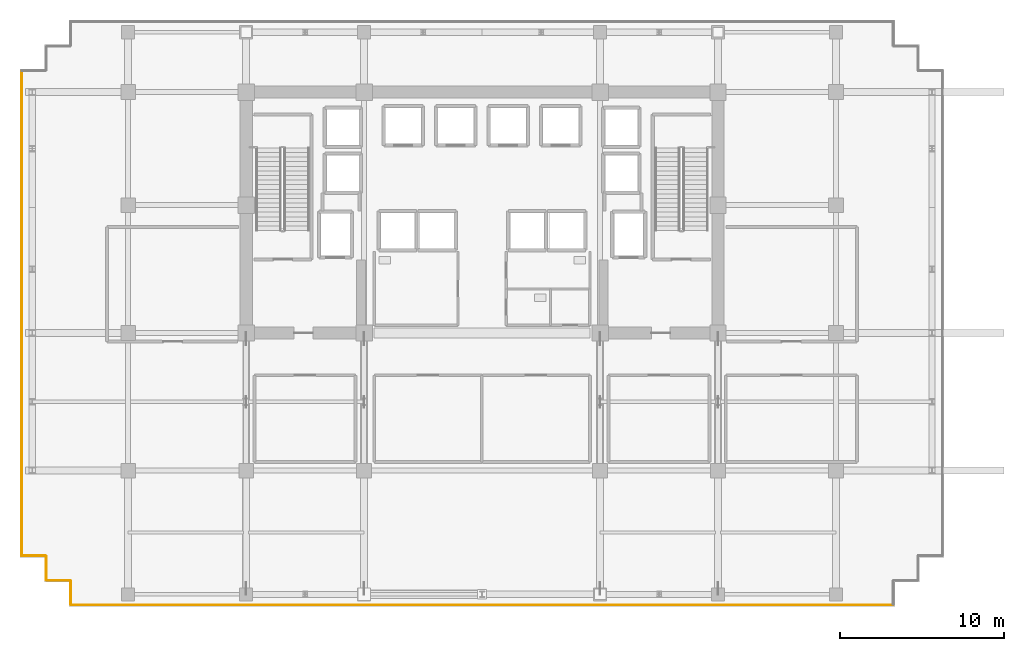
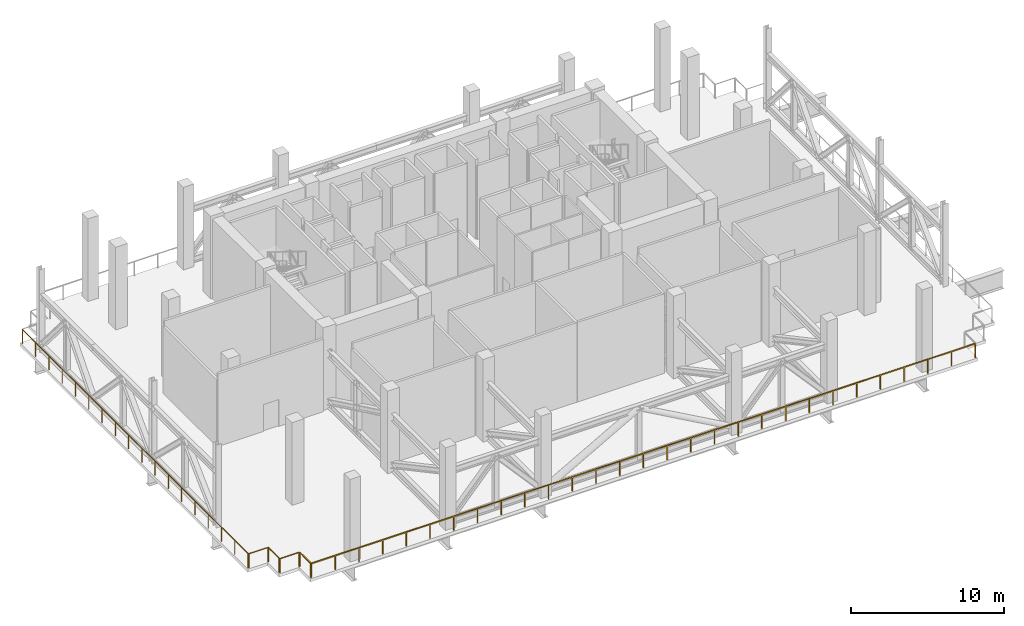
# One storey, part 11 of 15: 6 railings.
"""IFC4 building model written with IfcOpenShell, lengths in metres."""

from ifc_helpers import new_model, si_unit, direction, frame, origin, origin_2d, place, context, subcontext, project, spatial, rectangle, extrude, material, type_object, element, save


model = new_model("IFC4")

# Units and contexts
model_context = context("Model", 3, precision=1e-05, world=origin(), true_north=direction((0.0, 1.0)))
body_context = subcontext(model_context, "Body", "Model", "MODEL_VIEW")
ifc_project = project(units=[si_unit("LENGTHUNIT", "METRE"), si_unit("AREAUNIT", "SQUARE_METRE"), si_unit("VOLUMEUNIT", "CUBIC_METRE"), si_unit("PLANEANGLEUNIT", "RADIAN"), si_unit("MASSUNIT", "GRAM", prefix="KILO")], contexts=[model_context])

# Site, building, storey
site_placement = place(None, origin())
site = spatial("IfcSite", under=ifc_project, at=site_placement, CompositionType="ELEMENT")
building_placement = place(site_placement, origin())
building = spatial("IfcBuilding", under=site, at=building_placement, Name="Zarnakvel Exchange Tower", CompositionType="ELEMENT")
storey_placement = place(building_placement, frame((0.0, 0.0, 80.199951171875)))
storey = spatial("IfcBuildingStorey", under=building, at=storey_placement, Name="L22", CompositionType="ELEMENT", Elevation=80.199951171875)

# Railings
ifc_material = material(Name="Architectural Bronze Anodised Aluminium", Category="aluminium")
railing_type = type_object("IfcRailingType", Name="GR-01", PredefinedType="GUARDRAIL", material=ifc_material)
railing_1_placement = place(storey_placement, frame((-28.10009765625, -14.760009765625, 0.0)))
element("IfcRailing", 1, at=railing_1_placement, inside=storey, type_object=railing_type, Name="L22 Perimeter Guardrail GR-L22-PERIM-01 (GR-01)", PredefinedType="GUARDRAIL", context=body_context, shape_type="SweptSolid", body=[
    extrude(rectangle(XDim=0.048095703125, YDim=0.048095703125, at=origin_2d()), frame((0.0, 0.0, 1.1259765625), z_axis=(0.0, 1.0, 0.0), x_axis=(-1.0, 0.0, 0.0)), (0.0, 0.0, 1.0), 29.52001953125),
    extrude(rectangle(XDim=0.0419921875, YDim=0.0419921875, at=origin_2d()), origin(), (0.0, 0.0, 1.0), 1.101806640625),
    extrude(rectangle(XDim=0.0419921875, YDim=0.0419921875, at=origin_2d()), frame((0.0, 1.736572265625, 0.0)), (0.0, 0.0, 1.0), 1.101806640625),
    extrude(rectangle(XDim=0.0419921875, YDim=0.0419921875, at=origin_2d()), frame((0.0, 3.472900390625, 0.0)), (0.0, 0.0, 1.0), 1.101806640625),
    extrude(rectangle(XDim=0.0419921875, YDim=0.0419921875, at=origin_2d()), frame((0.0, 5.20947265625, 0.0)), (0.0, 0.0, 1.0), 1.101806640625),
    extrude(rectangle(XDim=0.0419921875, YDim=0.0419921875, at=origin_2d()), frame((0.0, 6.94580078125, 0.0)), (0.0, 0.0, 1.0), 1.101806640625),
    extrude(rectangle(XDim=0.0419921875, YDim=0.0419921875, at=origin_2d()), frame((0.0, 8.682373046875, 0.0)), (0.0, 0.0, 1.0), 1.101806640625),
    extrude(rectangle(XDim=0.0419921875, YDim=0.0419921875, at=origin_2d()), frame((0.0, 10.4189453125, 0.0)), (0.0, 0.0, 1.0), 1.101806640625),
    extrude(rectangle(XDim=0.0419921875, YDim=0.0419921875, at=origin_2d()), frame((0.0, 12.1552734375, 0.0)), (0.0, 0.0, 1.0), 1.101806640625),
    extrude(rectangle(XDim=0.0419921875, YDim=0.0419921875, at=origin_2d()), frame((0.0, 13.891845703125, 0.0)), (0.0, 0.0, 1.0), 1.101806640625),
    extrude(rectangle(XDim=0.0419921875, YDim=0.0419921875, at=origin_2d()), frame((0.0, 15.628173828125, 0.0)), (0.0, 0.0, 1.0), 1.101806640625),
    extrude(rectangle(XDim=0.0419921875, YDim=0.0419921875, at=origin_2d()), frame((0.0, 17.36474609375, 0.0)), (0.0, 0.0, 1.0), 1.101806640625),
    extrude(rectangle(XDim=0.0419921875, YDim=0.0419921875, at=origin_2d()), frame((0.0, 19.10107421875, 0.0)), (0.0, 0.0, 1.0), 1.101806640625),
    extrude(rectangle(XDim=0.0419921875, YDim=0.0419921875, at=origin_2d()), frame((0.0, 20.837646484375, 0.0)), (0.0, 0.0, 1.0), 1.101806640625),
    extrude(rectangle(XDim=0.0419921875, YDim=0.0419921875, at=origin_2d()), frame((0.0, 22.57421875, 0.0)), (0.0, 0.0, 1.0), 1.101806640625),
    extrude(rectangle(XDim=0.0419921875, YDim=0.0419921875, at=origin_2d()), frame((0.0, 24.310546875, 0.0)), (0.0, 0.0, 1.0), 1.101806640625),
    extrude(rectangle(XDim=0.0419921875, YDim=0.0419921875, at=origin_2d()), frame((0.0, 26.047119140625, 0.0)), (0.0, 0.0, 1.0), 1.101806640625),
    extrude(rectangle(XDim=0.0419921875, YDim=0.0419921875, at=origin_2d()), frame((0.0, 27.783447265625, 0.0)), (0.0, 0.0, 1.0), 1.101806640625),
    extrude(rectangle(XDim=0.0419921875, YDim=0.0419921875, at=origin_2d()), frame((0.0, 29.52001953125, 0.0)), (0.0, 0.0, 1.0), 1.101806640625),
])
railing_2_placement = place(storey_placement, frame((25.06005859375, -17.800048828125, 0.0)))
element("IfcRailing", 2, at=railing_2_placement, inside=storey, type_object=railing_type, Name="L22 Perimeter Guardrail GR-L22-PERIM-16 (GR-01)", PredefinedType="GUARDRAIL", context=body_context, shape_type="SweptSolid", body=[
    extrude(rectangle(XDim=0.048095703125, YDim=0.048095703125, at=origin_2d()), frame((0.0, 0.0, 1.1259765625), z_axis=(-1.0, 0.0, 0.0), x_axis=(0.0, -1.0, 0.0)), (0.0, 0.0, 1.0), 50.1201171875),
    extrude(rectangle(XDim=0.0419921875, YDim=0.0419921875, at=origin_2d()), origin(), (0.0, 0.0, 1.0), 1.101806640625),
    extrude(rectangle(XDim=0.0419921875, YDim=0.0419921875, at=origin_2d()), frame((-1.7900390625, 0.0, 0.0)), (0.0, 0.0, 1.0), 1.101806640625),
    extrude(rectangle(XDim=0.0419921875, YDim=0.0419921875, at=origin_2d()), frame((-3.580078125, 0.0, 0.0)), (0.0, 0.0, 1.0), 1.101806640625),
    extrude(rectangle(XDim=0.0419921875, YDim=0.0419921875, at=origin_2d()), frame((-5.3701171875, 0.0, 0.0)), (0.0, 0.0, 1.0), 1.101806640625),
    extrude(rectangle(XDim=0.0419921875, YDim=0.0419921875, at=origin_2d()), frame((-7.159912109375, 0.0, 0.0)), (0.0, 0.0, 1.0), 1.101806640625),
    extrude(rectangle(XDim=0.0419921875, YDim=0.0419921875, at=origin_2d()), frame((-8.949951171875, 0.0, 0.0)), (0.0, 0.0, 1.0), 1.101806640625),
    extrude(rectangle(XDim=0.0419921875, YDim=0.0419921875, at=origin_2d()), frame((-10.739990234375, 0.0, 0.0)), (0.0, 0.0, 1.0), 1.101806640625),
    extrude(rectangle(XDim=0.0419921875, YDim=0.0419921875, at=origin_2d()), frame((-12.530029296875, 0.0, 0.0)), (0.0, 0.0, 1.0), 1.101806640625),
    extrude(rectangle(XDim=0.0419921875, YDim=0.0419921875, at=origin_2d()), frame((-14.320068359375, 0.0, 0.0)), (0.0, 0.0, 1.0), 1.101806640625),
    extrude(rectangle(XDim=0.0419921875, YDim=0.0419921875, at=origin_2d()), frame((-16.110107421875, 0.0, 0.0)), (0.0, 0.0, 1.0), 1.101806640625),
    extrude(rectangle(XDim=0.0419921875, YDim=0.0419921875, at=origin_2d()), frame((-17.900146484375, 0.0, 0.0)), (0.0, 0.0, 1.0), 1.101806640625),
    extrude(rectangle(XDim=0.0419921875, YDim=0.0419921875, at=origin_2d()), frame((-19.68994140625, 0.0, 0.0)), (0.0, 0.0, 1.0), 1.101806640625),
    extrude(rectangle(XDim=0.0419921875, YDim=0.0419921875, at=origin_2d()), frame((-21.47998046875, 0.0, 0.0)), (0.0, 0.0, 1.0), 1.101806640625),
    extrude(rectangle(XDim=0.0419921875, YDim=0.0419921875, at=origin_2d()), frame((-23.27001953125, 0.0, 0.0)), (0.0, 0.0, 1.0), 1.101806640625),
    extrude(rectangle(XDim=0.0419921875, YDim=0.0419921875, at=origin_2d()), frame((-25.06005859375, 0.0, 0.0)), (0.0, 0.0, 1.0), 1.101806640625),
    extrude(rectangle(XDim=0.0419921875, YDim=0.0419921875, at=origin_2d()), frame((-26.85009765625, 0.0, 0.0)), (0.0, 0.0, 1.0), 1.101806640625),
    extrude(rectangle(XDim=0.0419921875, YDim=0.0419921875, at=origin_2d()), frame((-28.64013671875, 0.0, 0.0)), (0.0, 0.0, 1.0), 1.101806640625),
    extrude(rectangle(XDim=0.0419921875, YDim=0.0419921875, at=origin_2d()), frame((-30.43017578125, 0.0, 0.0)), (0.0, 0.0, 1.0), 1.101806640625),
    extrude(rectangle(XDim=0.0419921875, YDim=0.0419921875, at=origin_2d()), frame((-32.219970703125, 0.0, 0.0)), (0.0, 0.0, 1.0), 1.101806640625),
    extrude(rectangle(XDim=0.0419921875, YDim=0.0419921875, at=origin_2d()), frame((-34.010009765625, 0.0, 0.0)), (0.0, 0.0, 1.0), 1.101806640625),
    extrude(rectangle(XDim=0.0419921875, YDim=0.0419921875, at=origin_2d()), frame((-35.800048828125, 0.0, 0.0)), (0.0, 0.0, 1.0), 1.101806640625),
    extrude(rectangle(XDim=0.0419921875, YDim=0.0419921875, at=origin_2d()), frame((-37.590087890625, 0.0, 0.0)), (0.0, 0.0, 1.0), 1.101806640625),
    extrude(rectangle(XDim=0.0419921875, YDim=0.0419921875, at=origin_2d()), frame((-39.380126953125, 0.0, 0.0)), (0.0, 0.0, 1.0), 1.101806640625),
    extrude(rectangle(XDim=0.0419921875, YDim=0.0419921875, at=origin_2d()), frame((-41.170166015625, 0.0, 0.0)), (0.0, 0.0, 1.0), 1.101806640625),
    extrude(rectangle(XDim=0.0419921875, YDim=0.0419921875, at=origin_2d()), frame((-42.960205078125, 0.0, 0.0)), (0.0, 0.0, 1.0), 1.101806640625),
    extrude(rectangle(XDim=0.0419921875, YDim=0.0419921875, at=origin_2d()), frame((-44.75, 0.0, 0.0)), (0.0, 0.0, 1.0), 1.101806640625),
    extrude(rectangle(XDim=0.0419921875, YDim=0.0419921875, at=origin_2d()), frame((-46.5400390625, 0.0, 0.0)), (0.0, 0.0, 1.0), 1.101806640625),
    extrude(rectangle(XDim=0.0419921875, YDim=0.0419921875, at=origin_2d()), frame((-48.330078125, 0.0, 0.0)), (0.0, 0.0, 1.0), 1.101806640625),
    extrude(rectangle(XDim=0.0419921875, YDim=0.0419921875, at=origin_2d()), frame((-50.1201171875, 0.0, 0.0)), (0.0, 0.0, 1.0), 1.101806640625),
])
railing_3_placement = place(storey_placement, frame((-25.10009765625, -17.760009765625, 0.0)))
element("IfcRailing", 3, at=railing_3_placement, inside=storey, type_object=railing_type, Name="L22 Perimeter Guardrail GR-L22-PERIM-17 (GR-01)", PredefinedType="GUARDRAIL", context=body_context, shape_type="SweptSolid", body=[
    extrude(rectangle(XDim=0.048095703125, YDim=0.048095703125, at=origin_2d()), frame((0.0, 0.0, 1.1259765625), z_axis=(0.0, 1.0, 0.0), x_axis=(-1.0, 0.0, 0.0)), (0.0, 0.0, 1.0), 1.419921875),
    extrude(rectangle(XDim=0.0419921875, YDim=0.0419921875, at=origin_2d()), origin(), (0.0, 0.0, 1.0), 1.101806640625),
    extrude(rectangle(XDim=0.0419921875, YDim=0.0419921875, at=origin_2d()), frame((0.0, 1.419921875, 0.0)), (0.0, 0.0, 1.0), 1.101806640625),
])
railing_4_placement = place(storey_placement, frame((-25.139892578125, -16.300048828125, 0.0)))
element("IfcRailing", 4, at=railing_4_placement, inside=storey, type_object=railing_type, Name="L22 Perimeter Guardrail GR-L22-PERIM-18 (GR-01)", PredefinedType="GUARDRAIL", context=body_context, shape_type="SweptSolid", body=[
    extrude(rectangle(XDim=0.048095703125, YDim=0.048095703125, at=origin_2d()), frame((0.0, 0.0, 1.1259765625), z_axis=(-1.0, 0.0, 0.0), x_axis=(0.0, -1.0, 0.0)), (0.0, 0.0, 1.0), 1.420166015625),
    extrude(rectangle(XDim=0.0419921875, YDim=0.0419921875, at=origin_2d()), origin(), (0.0, 0.0, 1.0), 1.101806640625),
    extrude(rectangle(XDim=0.0419921875, YDim=0.0419921875, at=origin_2d()), frame((-1.420166015625, 0.0, 0.0)), (0.0, 0.0, 1.0), 1.101806640625),
])
railing_5_placement = place(storey_placement, frame((-26.60009765625, -16.260009765625, 0.0)))
element("IfcRailing", 5, at=railing_5_placement, inside=storey, type_object=railing_type, Name="L22 Perimeter Guardrail GR-L22-PERIM-19 (GR-01)", PredefinedType="GUARDRAIL", context=body_context, shape_type="SweptSolid", body=[
    extrude(rectangle(XDim=0.048095703125, YDim=0.048095703125, at=origin_2d()), frame((0.0, 0.0, 1.1259765625), z_axis=(0.0, 1.0, 0.0), x_axis=(-1.0, 0.0, 0.0)), (0.0, 0.0, 1.0), 1.419921875),
    extrude(rectangle(XDim=0.0419921875, YDim=0.0419921875, at=origin_2d()), origin(), (0.0, 0.0, 1.0), 1.101806640625),
    extrude(rectangle(XDim=0.0419921875, YDim=0.0419921875, at=origin_2d()), frame((0.0, 1.419921875, 0.0)), (0.0, 0.0, 1.0), 1.101806640625),
])
railing_6_placement = place(storey_placement, frame((-26.639892578125, -14.800048828125, 0.0)))
element("IfcRailing", 6, at=railing_6_placement, inside=storey, type_object=railing_type, Name="L22 Perimeter Guardrail GR-L22-PERIM-20 (GR-01)", PredefinedType="GUARDRAIL", context=body_context, shape_type="SweptSolid", body=[
    extrude(rectangle(XDim=0.048095703125, YDim=0.048095703125, at=origin_2d()), frame((0.0, 0.0, 1.1259765625), z_axis=(-1.0, 0.0, 0.0), x_axis=(0.0, -1.0, 0.0)), (0.0, 0.0, 1.0), 1.420166015625),
    extrude(rectangle(XDim=0.0419921875, YDim=0.0419921875, at=origin_2d()), origin(), (0.0, 0.0, 1.0), 1.101806640625),
    extrude(rectangle(XDim=0.0419921875, YDim=0.0419921875, at=origin_2d()), frame((-1.420166015625, 0.0, 0.0)), (0.0, 0.0, 1.0), 1.101806640625),
])

save(model, "model.ifc")
